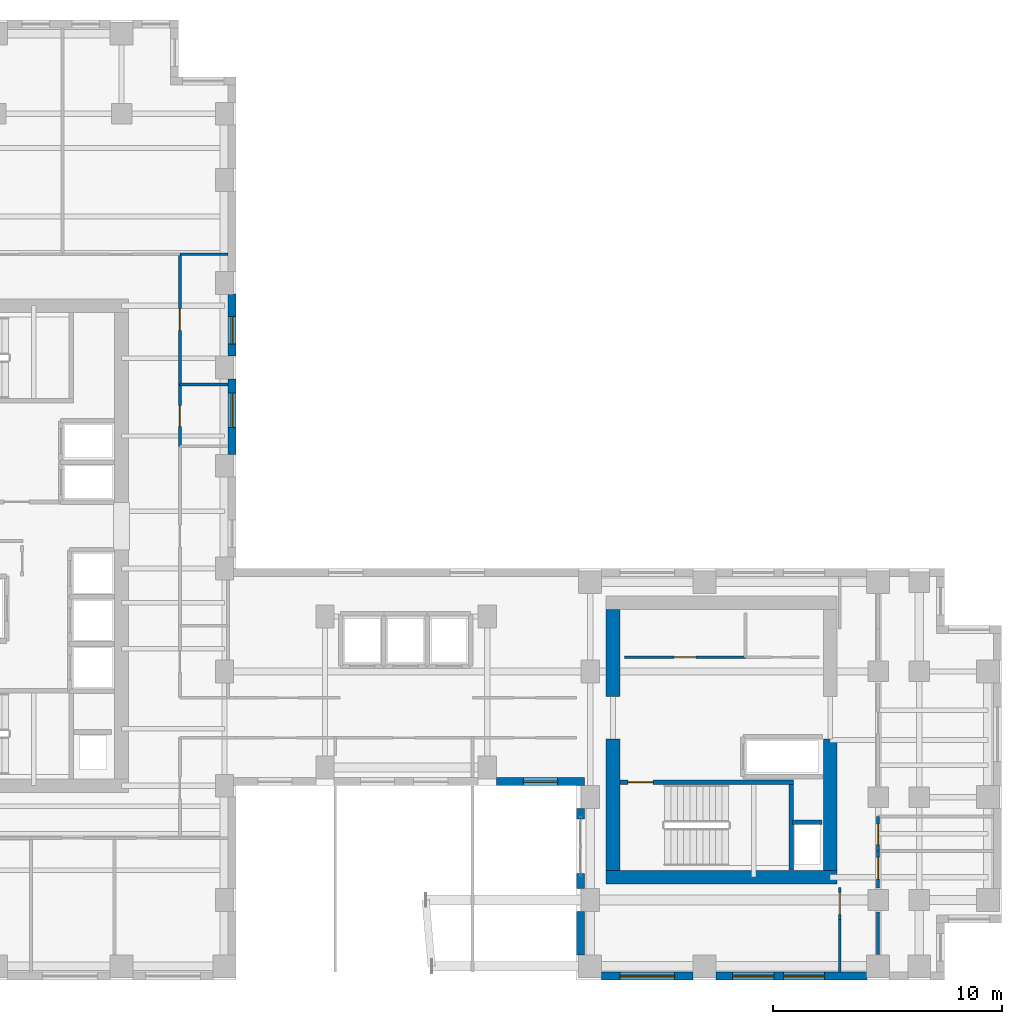
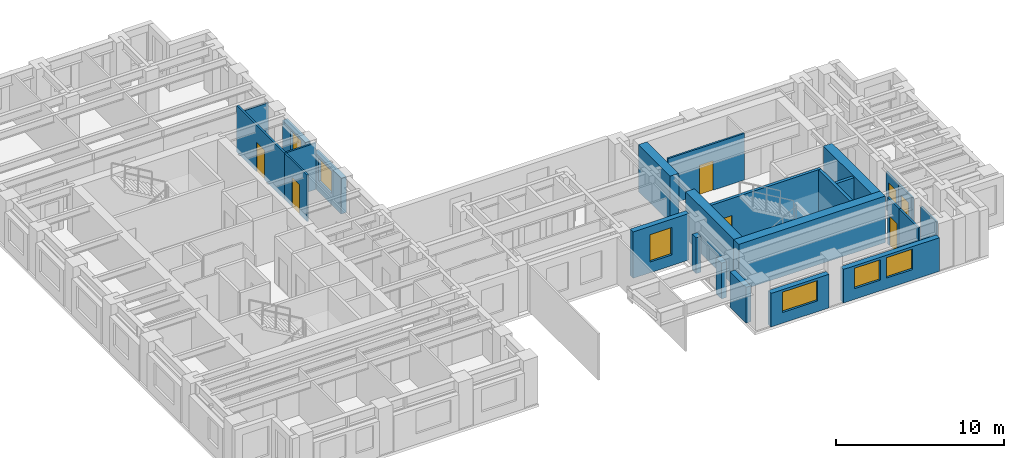
# One storey, part 9 of 13: 25 walls, 7 doors, 6 windows, 13 openings.
"""IFC4 building model written with IfcOpenShell, lengths in metres."""

import ifcopenshell
import ifcopenshell.guid

model = None  # the IFC model being written
_history = None  # IfcOwnerHistory: only IFC2X3 demands one
_inside = {}  # id of a spatial element -> (the spatial element, [elements in it])
_under = {}  # id of a project, library or spatial element -> (it, [spatial elements below it])
_declared = {}  # id of a project -> (the project, [libraries it declares])
_typed = {}  # id of a type object -> (the type object, [elements of that type])
_made_of = {}  # id of a material, layer set ... -> (it, [elements and type objects made of it])


def new_model(schema):
    """Start an empty IFC model of exactly this schema.

    Asked for "IFC4X3", IfcOpenShell would pick the latest addendum, in which some entities
    have other attributes; the version numbers below select the first issue.
    IFC2X3 requires an IfcOwnerHistory on every rooted entity: one is made here for all.
    """
    global model, _history
    if schema == "IFC4X3":
        model = ifcopenshell.file(schema_version=(4, 3, 0, 0))
    else:
        model = ifcopenshell.file(schema=schema)
    _inside.clear()
    _under.clear()
    _declared.clear()
    _typed.clear()
    _made_of.clear()
    _history = None
    if model.schema == "IFC2X3":
        org = make("IfcOrganization", Name="unknown")
        user = make(
            "IfcPersonAndOrganization",
            ThePerson=make("IfcPerson", FamilyName="unknown"),
            TheOrganization=org,
        )
        app = make(
            "IfcApplication",
            ApplicationDeveloper=org,
            Version="unknown",
            ApplicationFullName="unknown",
            ApplicationIdentifier="unknown",
        )
        _history = make(
            "IfcOwnerHistory",
            OwningUser=user,
            OwningApplication=app,
            ChangeAction="ADDED",
            CreationDate=0,
        )
    return model


def make(cls, **values):
    """One entity of the class cls with the attributes given. An attribute that is None is left unset."""
    return model.create_entity(
        cls, **{name: value for name, value in values.items() if value is not None}
    )


def rooted(cls, **values):
    """An entity with a GlobalId (a new one), such as an element, a storey or a relation."""
    return make(cls, GlobalId=ifcopenshell.guid.new(), OwnerHistory=_history, **values)


def si_unit(unit_type, name, prefix=None):
    """IfcSIUnit, for example si_unit("LENGTHUNIT", "METRE", prefix="MILLI")."""
    return make("IfcSIUnit", UnitType=unit_type, Prefix=prefix, Name=name)


def assignment(units):
    """IfcUnitAssignment: the units of a project."""
    return None if units is None else make("IfcUnitAssignment", Units=units)


def point(xyz):
    """IfcCartesianPoint."""
    return None if xyz is None else make("IfcCartesianPoint", Coordinates=xyz)


def direction(xyz):
    """IfcDirection."""
    return None if xyz is None else make("IfcDirection", DirectionRatios=xyz)


def frame(location, z_axis=None, x_axis=None):
    """IfcAxis2Placement3D, a coordinate frame: its origin and axes. An axis left out is left unset."""
    return make(
        "IfcAxis2Placement3D",
        Location=point(location),
        Axis=direction(z_axis),
        RefDirection=direction(x_axis),
    )


def frame_2d(location, x_axis=None):
    """IfcAxis2Placement2D, a coordinate frame in the plane: its origin and x axis."""
    return make(
        "IfcAxis2Placement2D", Location=point(location), RefDirection=direction(x_axis)
    )


def origin():
    """The frame at (0, 0, 0) with its axes left unset."""
    return frame((0.0, 0.0, 0.0))


def place(relative_to, where):
    """IfcLocalPlacement: puts the frame where relative to a parent placement (None: the world)."""
    return make(
        "IfcLocalPlacement", PlacementRelTo=relative_to, RelativePlacement=where
    )


def context(
    kind, dimensions, precision=None, world=None, true_north=None, identifier=None
):
    """IfcGeometricRepresentationContext, for example the 3D "Model" context."""
    return make(
        "IfcGeometricRepresentationContext",
        ContextIdentifier=identifier,
        ContextType=kind,
        CoordinateSpaceDimension=dimensions,
        Precision=precision,
        WorldCoordinateSystem=world,
        TrueNorth=true_north,
    )


def subcontext(parent, identifier, kind, view, scale=None):
    """IfcGeometricRepresentationSubContext, for example "Body" below "Model"."""
    return make(
        "IfcGeometricRepresentationSubContext",
        ContextIdentifier=identifier,
        ContextType=kind,
        ParentContext=parent,
        TargetScale=scale,
        TargetView=view,
    )


def project(units=None, contexts=None):
    """IfcProject with its units and contexts."""
    return rooted(
        "IfcProject",
        Name="project",
        RepresentationContexts=contexts,
        UnitsInContext=assignment(units),
    )


def spatial(cls, under=None, at=None, **own):
    """A site, building, storey or space (cls), placed at a placement, below another one or the project."""
    s = rooted(cls, ObjectPlacement=at, **own)
    if under is not None:
        _under.setdefault(under.id(), (under, []))[1].append(s)
    return s


def profile(cls, at=None, kind="AREA", **sizes):
    """A parametric profile (cls). Its sizes go by their IFC names, for example OverallWidth=200.0."""
    return make(cls, ProfileType=kind, Position=at, **sizes)


def rectangle(**sizes):
    """IfcRectangleProfileDef."""
    return profile("IfcRectangleProfileDef", **sizes)


def extrude(swept, where, along, depth):
    """IfcExtrudedAreaSolid: the profile swept, set in the frame where, extruded along a direction by depth."""
    return make(
        "IfcExtrudedAreaSolid",
        SweptArea=swept,
        Position=where,
        ExtrudedDirection=direction(along),
        Depth=depth,
    )


def shape(context_of_items, identifier, shape_type, items):
    """IfcShapeRepresentation: the items that make up one representation, for example the "Body"."""
    return make(
        "IfcShapeRepresentation",
        ContextOfItems=context_of_items,
        RepresentationIdentifier=identifier,
        RepresentationType=shape_type,
        Items=items,
    )


def source(mapping_origin, context_of_items, identifier, shape_type, items):
    """IfcRepresentationMap: a shape defined once, which mapped items show again and again."""
    return make(
        "IfcRepresentationMap",
        MappingOrigin=mapping_origin,
        MappedRepresentation=shape(context_of_items, identifier, shape_type, items),
    )


def transform(
    local_origin,
    x_axis=None,
    y_axis=None,
    z_axis=None,
    scale=None,
    scale2=None,
    scale3=None,
    uniform=True,
):
    """IfcCartesianTransformationOperator3D, or its non-uniform kind. x_axis, y_axis, z_axis: its Axis1, 2, 3."""
    if uniform:
        return make(
            "IfcCartesianTransformationOperator3D",
            Axis1=direction(x_axis),
            Axis2=direction(y_axis),
            LocalOrigin=point(local_origin),
            Scale=scale,
            Axis3=direction(z_axis),
        )
    return make(
        "IfcCartesianTransformationOperator3DnonUniform",
        Axis1=direction(x_axis),
        Axis2=direction(y_axis),
        LocalOrigin=point(local_origin),
        Scale=scale,
        Axis3=direction(z_axis),
        Scale2=scale2,
        Scale3=scale3,
    )


def mapped(mapping_source, mapping_target):
    """IfcMappedItem: shows the shape of a source again, moved by a transform."""
    return make(
        "IfcMappedItem", MappingSource=mapping_source, MappingTarget=mapping_target
    )


def material(Name=None, Category=None):
    """IfcMaterial."""
    return make("IfcMaterial", Name=Name, Category=Category)


def layer(
    of_material, thickness, ventilated=None, Name=None, Category=None, Priority=None
):
    """IfcMaterialLayer: one layer of a wall or slab, of a material (None: an air gap)."""
    return make(
        "IfcMaterialLayer",
        Material=of_material,
        LayerThickness=thickness,
        IsVentilated=ventilated,
        Name=Name,
        Category=Category,
        Priority=Priority,
    )


def layer_set(layers, Name=None):
    """IfcMaterialLayerSet."""
    return make("IfcMaterialLayerSet", MaterialLayers=layers, LayerSetName=Name)


def made_of(thing, what):
    """Note that an element or type object is made of a material, layer set ...; save() writes the relation."""
    if what is not None:
        _made_of.setdefault(what.id(), (what, []))[1].append(thing)
    return thing


def type_object(cls, material=None, **own):
    """A type object (cls), such as IfcWallType, which elements share."""
    return made_of(rooted(cls, **own), material)


def element(
    cls,
    number,
    at=None,
    inside=None,
    cuts=None,
    type_object=None,
    material=None,
    context=None,
    identifier="Body",
    shape_type=None,
    held_by="IfcProductDefinitionShape",
    body=None,
    shapes=None,
    **own,
):
    """One element of the class cls, such as IfcWall. Its Tag is "e" and its number.

    at: its placement. inside: the storey or other place that contains it. cuts: it is an
    opening in that element (IfcRelVoidsElement). A single representation is given by context,
    identifier, shape_type and body (its items); several are given by shapes. held_by: the class
    of the entity that holds the representations. save() writes the other relations.
    """
    e = rooted(cls, Tag="e%d" % number, ObjectPlacement=at, **own)
    if body is not None:
        shapes = [shape(context, identifier, shape_type, body)]
    if shapes is not None:
        e.Representation = make(held_by, Representations=shapes)
    if inside is not None:
        _inside.setdefault(inside.id(), (inside, []))[1].append(e)
    if cuts is not None:
        rooted(
            "IfcRelVoidsElement", RelatingBuildingElement=cuts, RelatedOpeningElement=e
        )
    if type_object is not None:
        _typed.setdefault(type_object.id(), (type_object, []))[1].append(e)
    return made_of(e, material)


def fill(opening, filler):
    """IfcRelFillsElement: the door or window that sits in an opening."""
    return rooted(
        "IfcRelFillsElement",
        RelatingOpeningElement=opening,
        RelatedBuildingElement=filler,
    )


def aggregate(whole, parts):
    """IfcRelAggregates: a whole, such as a stair, and the parts it consists of."""
    return rooted("IfcRelAggregates", RelatingObject=whole, RelatedObjects=parts)


def save(model, path):
    """Write the relations noted so far, then the file.

    IfcRelAggregates (storeys below a building ...), IfcRelContainedInSpatialStructure (elements
    in a storey), IfcRelDefinesByType, IfcRelAssociatesMaterial and IfcRelDeclares: one each for
    every whole, place, type object, material and project.
    """
    for whole, parts in _under.values():
        aggregate(whole, parts)
    for where, things in _inside.values():
        rooted(
            "IfcRelContainedInSpatialStructure",
            RelatedElements=things,
            RelatingStructure=where,
        )
    for kind, things in _typed.values():
        rooted("IfcRelDefinesByType", RelatedObjects=things, RelatingType=kind)
    for what, things in _made_of.values():
        rooted("IfcRelAssociatesMaterial", RelatedObjects=things, RelatingMaterial=what)
    for by, libraries in _declared.values():
        rooted("IfcRelDeclares", RelatingContext=by, RelatedDefinitions=libraries)
    model.write(path)


model = new_model("IFC4")

# Units and contexts
model_context = context("Model", 3, precision=1e-05, world=origin(), true_north=direction((0.0, 1.0)))
body_context = subcontext(model_context, "Body", "Model", "MODEL_VIEW")
ifc_project = project(units=[si_unit("LENGTHUNIT", "METRE"), si_unit("AREAUNIT", "SQUARE_METRE"), si_unit("VOLUMEUNIT", "CUBIC_METRE"), si_unit("PLANEANGLEUNIT", "RADIAN"), si_unit("MASSUNIT", "GRAM", prefix="KILO")], contexts=[model_context])

# Site, building, storey
site_placement = place(None, origin())
site = spatial("IfcSite", under=ifc_project, at=site_placement, CompositionType="ELEMENT")
building_placement = place(site_placement, origin())
building = spatial("IfcBuilding", under=site, at=building_placement, Name="Kharzan Plaza Tower", CompositionType="ELEMENT")
storey_placement = place(building_placement, frame((0.0, 0.0, 175.5)))
storey = spatial("IfcBuildingStorey", under=building, at=storey_placement, Name="L47", CompositionType="ELEMENT", Elevation=175.5)

# Wall, opening, window
ifc_material_1 = material(Name="Concrete C40/50", Category="concrete")
ifc_layer_1 = layer(ifc_material_1, 0.35009765625)
ifc_layer_set_1 = layer_set([ifc_layer_1], Name="Concrete C40/50")
wall_type_1 = type_object("IfcWallType", Name="WL-EXT-MAS-Z3", PredefinedType="SOLIDWALL", material=ifc_layer_set_1)
wall_1_placement = place(storey_placement, frame((30.89794921875, 8.675048828125, 0.0), z_axis=(0.0, 0.0, 1.0), x_axis=(1.0, 0.0, 0.0)))
wall_1 = element("IfcWall", 1, at=wall_1_placement, inside=storey, type_object=wall_type_1, Name="L47 Masonry-Frame Exterior Wall 28", PredefinedType="SOLIDWALL", context=body_context, shape_type="SweptSolid", body=[
    extrude(rectangle(XDim=3.85205078125, YDim=0.35009765625, at=frame_2d((1.926025390625, 0.0))), origin(), (0.0, 0.0, 1.0), 3.385009765625),
])
opening_1_placement = place(wall_1_placement, frame((1.176025390625, 0.0, 0.780029296875)))
opening_1 = element("IfcOpeningElement", 2, at=opening_1_placement, cuts=wall_1, Name="Opening W5", PredefinedType="OPENING", context=body_context, shape_type="SweptSolid", body=[
    extrude(rectangle(XDim=1.5, YDim=2.0, at=frame_2d((0.75, 1.0))), frame((0.0, 0.18505859375, 0.0), z_axis=(0.0, -1.0, 0.0), x_axis=(1.0, 0.0, 0.0)), (0.0, 0.0, 1.0), 0.3701171875),
])
ifc_material_2 = material(Name="Low-E Double Glazing", Category="glass")
window_type_1 = type_object("IfcWindowType", Name="WN-SLT-1500x2000", PartitioningType="SINGLE_PANEL", PredefinedType="WINDOW", material=ifc_material_2)
shared_shape_1 = source(origin(), body_context, "Body", "SweptSolid", [
    extrude(rectangle(XDim=1.5, YDim=2.0, at=frame_2d((0.75, 1.0))), frame((0.0, 0.030029296875, 0.0), z_axis=(0.0, -1.0, 0.0), x_axis=(1.0, 0.0, 0.0)), (0.0, 0.0, 1.0), 0.06005859375),
])
window_1_placement = place(opening_1_placement, origin())
window_1 = element("IfcWindow", 3, at=window_1_placement, inside=storey, type_object=window_type_1, Name="L47 Recessed Solar-Control Window 28-1", OverallHeight=2.0, OverallWidth=1.5, PartitioningType="SINGLE_PANEL", PredefinedType="WINDOW", context=body_context, shape_type="MappedRepresentation", body=[
    mapped(shared_shape_1, transform((0.0, 0.0, 0.0), x_axis=(1.0, 0.0, 0.0), y_axis=(0.0, 1.0, 0.0), z_axis=(0.0, 0.0, 1.0))),
])
fill(opening_1, window_1)

wall_2_placement = place(storey_placement, frame((35.498046875, 0.175048828125, 0.0), z_axis=(0.0, 0.0, 1.0), x_axis=(1.0, 0.0, 0.0)))
wall_2 = element("IfcWall", 4, at=wall_2_placement, inside=storey, type_object=wall_type_1, Name="L47 Masonry-Frame Exterior Wall 32", PredefinedType="SOLIDWALL", context=body_context, shape_type="SweptSolid", body=[
    extrude(rectangle(XDim=4.00390625, YDim=0.35009765625, at=frame_2d((2.001953125, 0.0))), origin(), (0.0, 0.0, 1.0), 2.447998046875),
])
opening_2_placement = place(wall_2_placement, frame((0.802001953125, 0.0, 0.780029296875)))
opening_2 = element("IfcOpeningElement", 5, at=opening_2_placement, cuts=wall_2, Name="Opening W2", PredefinedType="OPENING", context=body_context, shape_type="SweptSolid", body=[
    extrude(rectangle(XDim=2.39990234375, YDim=1.488037109375, at=frame_2d((1.199951171875, 0.744140625))), frame((0.0, 0.18505859375, 0.0), z_axis=(0.0, -1.0, 0.0), x_axis=(1.0, 0.0, 0.0)), (0.0, 0.0, 1.0), 0.3701171875),
])
window_type_2 = type_object("IfcWindowType", Name="WN-REC-2400x2100", PartitioningType="SINGLE_PANEL", PredefinedType="WINDOW", material=ifc_material_2)
shared_shape_2 = source(origin(), body_context, "Body", "SweptSolid", [
    extrude(rectangle(XDim=2.39990234375, YDim=1.488037109375, at=frame_2d((1.199951171875, 0.744140625))), frame((0.0, 0.030029296875, 0.0), z_axis=(0.0, -1.0, 0.0), x_axis=(1.0, 0.0, 0.0)), (0.0, 0.0, 1.0), 0.06005859375),
])
window_2_placement = place(opening_2_placement, origin())
window_2 = element("IfcWindow", 6, at=window_2_placement, inside=storey, type_object=window_type_2, Name="L47 Wide Recessed Solar-Control Window 32-1", OverallHeight=1.488037109375, OverallWidth=2.39990234375, PartitioningType="SINGLE_PANEL", PredefinedType="WINDOW", context=body_context, shape_type="MappedRepresentation", body=[
    mapped(shared_shape_2, transform((0.0, 0.0, 0.0), x_axis=(1.0, 0.0, 0.0), y_axis=(0.0, 1.0, 0.0), z_axis=(0.0, 0.0, 1.0))),
])
fill(opening_2, window_2)

# Wall, openings, windows
wall_3_placement = place(storey_placement, frame((40.498046875, 0.175048828125, 0.0), z_axis=(0.0, 0.0, 1.0), x_axis=(1.0, 0.0, 0.0)))
wall_3 = element("IfcWall", 7, at=wall_3_placement, inside=storey, type_object=wall_type_1, Name="L47 Masonry-Frame Exterior Wall 33", PredefinedType="SOLIDWALL", context=body_context, shape_type="SweptSolid", body=[
    extrude(rectangle(XDim=6.60400390625, YDim=0.35009765625, at=frame_2d((3.302001953125, 0.0))), origin(), (0.0, 0.0, 1.0), 2.447998046875),
])
opening_3_placement = place(wall_3_placement, frame((0.7373046875, 0.0, 0.780029296875)))
opening_3 = element("IfcOpeningElement", 8, at=opening_3_placement, cuts=wall_3, Name="Opening W1", PredefinedType="OPENING", context=body_context, shape_type="SweptSolid", body=[
    extrude(rectangle(XDim=1.800048828125, YDim=1.488037109375, at=frame_2d((0.89990234375, 0.744140625))), frame((0.0, 0.18505859375, 0.0), z_axis=(0.0, -1.0, 0.0), x_axis=(1.0, 0.0, 0.0)), (0.0, 0.0, 1.0), 0.3701171875),
])
opening_4_placement = place(wall_3_placement, frame((2.95458984375, 0.0, 0.780029296875)))
opening_4 = element("IfcOpeningElement", 9, at=opening_4_placement, cuts=wall_3, Name="Opening W1", PredefinedType="OPENING", context=body_context, shape_type="SweptSolid", body=[
    extrude(rectangle(XDim=1.800048828125, YDim=1.488037109375, at=frame_2d((0.89990234375, 0.744140625))), frame((0.0, 0.18505859375, 0.0), z_axis=(0.0, -1.0, 0.0), x_axis=(1.0, 0.0, 0.0)), (0.0, 0.0, 1.0), 0.3701171875),
])
window_type_3 = type_object("IfcWindowType", Name="WN-REC-1800x2100", PartitioningType="SINGLE_PANEL", PredefinedType="WINDOW", material=ifc_material_2)
shared_shape_3 = source(origin(), body_context, "Body", "SweptSolid", [
    extrude(rectangle(XDim=1.800048828125, YDim=1.488037109375, at=frame_2d((0.89990234375, 0.744140625))), frame((0.0, 0.030029296875, 0.0), z_axis=(0.0, -1.0, 0.0), x_axis=(1.0, 0.0, 0.0)), (0.0, 0.0, 1.0), 0.06005859375),
])
window_3_placement = place(opening_3_placement, origin())
window_3 = element("IfcWindow", 10, at=window_3_placement, inside=storey, type_object=window_type_3, Name="L47 Recessed Solar-Control Window 33-1", OverallHeight=1.488037109375, OverallWidth=1.800048828125, PartitioningType="SINGLE_PANEL", PredefinedType="WINDOW", context=body_context, shape_type="MappedRepresentation", body=[
    mapped(shared_shape_3, transform((0.0, 0.0, 0.0), x_axis=(1.0, 0.0, 0.0), y_axis=(0.0, 1.0, 0.0), z_axis=(0.0, 0.0, 1.0))),
])
fill(opening_3, window_3)
window_4_placement = place(opening_4_placement, origin())
window_4 = element("IfcWindow", 11, at=window_4_placement, inside=storey, type_object=window_type_3, Name="L47 Recessed Solar-Control Window 33-2", OverallHeight=1.488037109375, OverallWidth=1.800048828125, PartitioningType="SINGLE_PANEL", PredefinedType="WINDOW", context=body_context, shape_type="MappedRepresentation", body=[
    mapped(shared_shape_3, transform((0.0, 0.0, 0.0), x_axis=(1.0, 0.0, 0.0), y_axis=(0.0, 1.0, 0.0), z_axis=(0.0, 0.0, 1.0))),
])
fill(opening_4, window_4)

# Wall, opening, window
wall_4_placement = place(storey_placement, frame((19.324951171875, 22.998046875, 0.0), z_axis=(0.0, 0.0, 1.0), x_axis=(0.0, 1.0, 0.0)))
wall_4 = element("IfcWall", 12, at=wall_4_placement, inside=storey, type_object=wall_type_1, Name="L47 Masonry-Frame Exterior Wall 49", PredefinedType="SOLIDWALL", context=body_context, shape_type="SweptSolid", body=[
    extrude(rectangle(XDim=3.303955078125, YDim=0.35009765625, at=frame_2d((1.65185546875, 0.0))), origin(), (0.0, 0.0, 1.0), 2.612060546875),
])
opening_5_placement = place(wall_4_placement, frame((1.180419921875, 0.0, 0.780029296875)))
opening_5 = element("IfcOpeningElement", 13, at=opening_5_placement, cuts=wall_4, Name="Opening W5", PredefinedType="OPENING", context=body_context, shape_type="SweptSolid", body=[
    extrude(rectangle(XDim=1.5, YDim=1.652099609375, at=frame_2d((0.75, 0.826171875))), frame((0.0, 0.18505859375, 0.0), z_axis=(0.0, -1.0, 0.0), x_axis=(1.0, 0.0, 0.0)), (0.0, 0.0, 1.0), 0.3701171875),
])
shared_shape_4 = source(origin(), body_context, "Body", "SweptSolid", [
    extrude(rectangle(XDim=1.5, YDim=1.652099609375, at=frame_2d((0.75, 0.826171875))), frame((0.0, 0.030029296875, 0.0), z_axis=(0.0, -1.0, 0.0), x_axis=(1.0, 0.0, 0.0)), (0.0, 0.0, 1.0), 0.06005859375),
])
window_5_placement = place(opening_5_placement, origin())
window_5 = element("IfcWindow", 14, at=window_5_placement, inside=storey, type_object=window_type_1, Name="L47 Recessed Solar-Control Window 49-1", OverallHeight=1.652099609375, OverallWidth=1.5, PartitioningType="SINGLE_PANEL", PredefinedType="WINDOW", context=body_context, shape_type="MappedRepresentation", body=[
    mapped(shared_shape_4, transform((0.0, 0.0, 0.0), x_axis=(1.0, 0.0, 0.0), y_axis=(0.0, 1.0, 0.0), z_axis=(0.0, 0.0, 1.0))),
])
fill(opening_5, window_5)

wall_5_placement = place(storey_placement, frame((19.324951171875, 27.298095703125, 0.0), z_axis=(0.0, 0.0, 1.0), x_axis=(0.0, 1.0, 0.0)))
wall_5 = element("IfcWall", 15, at=wall_5_placement, inside=storey, type_object=wall_type_1, Name="L47 Masonry-Frame Exterior Wall 50", PredefinedType="SOLIDWALL", context=body_context, shape_type="SweptSolid", body=[
    extrude(rectangle(XDim=2.703857421875, YDim=0.35009765625, at=frame_2d((1.35205078125, 0.0))), origin(), (0.0, 0.0, 1.0), 2.612060546875),
])
opening_6_placement = place(wall_5_placement, frame((0.523681640625, 0.0, 0.780029296875)))
opening_6 = element("IfcOpeningElement", 16, at=opening_6_placement, cuts=wall_5, Name="Opening W3", PredefinedType="OPENING", context=body_context, shape_type="SweptSolid", body=[
    extrude(rectangle(XDim=1.199951171875, YDim=1.652099609375, at=frame_2d((0.60009765625, 0.826171875))), frame((0.0, 0.18505859375, 0.0), z_axis=(0.0, -1.0, 0.0), x_axis=(1.0, 0.0, 0.0)), (0.0, 0.0, 1.0), 0.3701171875),
])
window_type_4 = type_object("IfcWindowType", Name="WN-REC-1200x2100", PartitioningType="SINGLE_PANEL", PredefinedType="WINDOW", material=ifc_material_2)
shared_shape_5 = source(origin(), body_context, "Body", "SweptSolid", [
    extrude(rectangle(XDim=1.199951171875, YDim=1.652099609375, at=frame_2d((0.60009765625, 0.826171875))), frame((0.0, 0.030029296875, 0.0), z_axis=(0.0, -1.0, 0.0), x_axis=(1.0, 0.0, 0.0)), (0.0, 0.0, 1.0), 0.06005859375),
])
window_6_placement = place(opening_6_placement, origin())
window_6 = element("IfcWindow", 17, at=window_6_placement, inside=storey, type_object=window_type_4, Name="L47 Recessed Solar-Control Window 50-1", OverallHeight=1.652099609375, OverallWidth=1.199951171875, PartitioningType="SINGLE_PANEL", PredefinedType="WINDOW", context=body_context, shape_type="MappedRepresentation", body=[
    mapped(shared_shape_5, transform((0.0, 0.0, 0.0), x_axis=(1.0, 0.0, 0.0), y_axis=(0.0, 1.0, 0.0), z_axis=(0.0, 0.0, 1.0))),
])
fill(opening_6, window_6)

# Wall, opening, door
ifc_material_3 = material(Name="Fire-Rated Gypsum Board Partition", Category="gypsum")
ifc_layer_2 = layer(ifc_material_3, 0.125)
ifc_layer_set_2 = layer_set([ifc_layer_2], Name="Fire-Rated Gypsum Board Partition")
wall_type_2 = type_object("IfcWallType", Name="WL-INT-PART-125", PredefinedType="PARTITIONING", material=ifc_layer_set_2)
wall_6_placement = place(storey_placement, frame((36.5, 14.1201171875, 0.0), z_axis=(0.0, 0.0, 1.0), x_axis=(1.0, 0.0, 0.0)))
wall_6 = element("IfcWall", 18, at=wall_6_placement, inside=storey, type_object=wall_type_2, Name="L47 Interior Partition CB-RBLSA", PredefinedType="PARTITIONING", context=body_context, shape_type="SweptSolid", body=[
    extrude(rectangle(XDim=5.300048828125, YDim=0.125, at=frame_2d((2.64990234375, 0.0))), origin(), (0.0, 0.0, 1.0), 3.385009765625),
])
opening_7_placement = place(wall_6_placement, frame((2.175048828125, 0.0, 0.0)))
opening_7 = element("IfcOpeningElement", 19, at=opening_7_placement, cuts=wall_6, Name="Opening OD1", PredefinedType="OPENING", context=body_context, shape_type="SweptSolid", body=[
    extrude(rectangle(XDim=0.949951171875, YDim=2.14990234375, at=frame_2d((0.47509765625, 1.074951171875))), frame((0.0, 0.072509765625, 0.0), z_axis=(0.0, -1.0, 0.0), x_axis=(1.0, 0.0, 0.0)), (0.0, 0.0, 1.0), 0.14501953125),
])
ifc_material_4 = material(Name="Acoustic Solid-Core Stained Oak", Category="timber")
door_type_1 = type_object("IfcDoorType", Name="DR-OFF-SINGLE", OperationType="NOTDEFINED", PredefinedType="DOOR", material=ifc_material_4)
shared_shape_6 = source(origin(), body_context, "Body", "SweptSolid", [
    extrude(rectangle(XDim=0.949951171875, YDim=2.14990234375, at=frame_2d((0.47509765625, 1.074951171875))), frame((0.0, 0.02490234375, 0.0), z_axis=(0.0, -1.0, 0.0), x_axis=(1.0, 0.0, 0.0)), (0.0, 0.0, 1.0), 0.050048828125),
])
door_1_placement = place(opening_7_placement, origin())
door_1 = element("IfcDoor", 20, at=door_1_placement, inside=storey, type_object=door_type_1, Name="L47 Records Room Door", OperationType="SINGLE_SWING_RIGHT", OverallHeight=2.14990234375, OverallWidth=0.949951171875, PredefinedType="DOOR", context=body_context, shape_type="MappedRepresentation", body=[
    mapped(shared_shape_6, transform((0.0, 0.0, 0.0), x_axis=(1.0, 0.0, 0.0), y_axis=(0.0, 1.0, 0.0), z_axis=(0.0, 0.0, 1.0))),
])
fill(opening_7, door_1)

wall_7_placement = place(storey_placement, frame((17.050048828125, 26.050048828125, 0.0), z_axis=(0.0, 0.0, 1.0), x_axis=(0.0, 1.0, 0.0)))
wall_7 = element("IfcWall", 21, at=wall_7_placement, inside=storey, type_object=wall_type_2, Name="L47 Interior Partition SH-AEWN3", PredefinedType="PARTITIONING", context=body_context, shape_type="SweptSolid", body=[
    extrude(rectangle(XDim=5.699951171875, YDim=0.125, at=frame_2d((2.85009765625, 0.0))), origin(), (0.0, 0.0, 1.0), 3.385009765625),
])
opening_8_placement = place(wall_7_placement, frame((2.375, 0.0, 0.0)))
opening_8 = element("IfcOpeningElement", 22, at=opening_8_placement, cuts=wall_7, Name="Opening OD1", PredefinedType="OPENING", context=body_context, shape_type="SweptSolid", body=[
    extrude(rectangle(XDim=0.949951171875, YDim=2.14990234375, at=frame_2d((0.47509765625, 1.074951171875))), frame((0.0, 0.072509765625, 0.0), z_axis=(0.0, -1.0, 0.0), x_axis=(1.0, 0.0, 0.0)), (0.0, 0.0, 1.0), 0.14501953125),
])
door_2_placement = place(opening_8_placement, origin())
door_2 = element("IfcDoor", 23, at=door_2_placement, inside=storey, type_object=door_type_1, Name="L47 Staff Tea Point Door", OperationType="SINGLE_SWING_RIGHT", OverallHeight=2.14990234375, OverallWidth=0.949951171875, PredefinedType="DOOR", context=body_context, shape_type="MappedRepresentation", body=[
    mapped(shared_shape_6, transform((0.0, 0.0, 0.0), x_axis=(1.0, 0.0, 0.0), y_axis=(0.0, 1.0, 0.0), z_axis=(0.0, 0.0, 1.0))),
])
fill(opening_8, door_2)

wall_8_placement = place(storey_placement, frame((17.050048828125, 23.35009765625, 0.0), z_axis=(0.0, 0.0, 1.0), x_axis=(0.0, 1.0, 0.0)))
wall_8 = element("IfcWall", 24, at=wall_8_placement, inside=storey, type_object=wall_type_2, Name="L47 Interior Partition SH-AEWW", PredefinedType="PARTITIONING", context=body_context, shape_type="SweptSolid", body=[
    extrude(rectangle(XDim=2.699951171875, YDim=0.125, at=frame_2d((1.35009765625, 0.0))), origin(), (0.0, 0.0, 1.0), 3.385009765625),
])
opening_9_placement = place(wall_8_placement, frame((0.875, 0.0, 0.0)))
opening_9 = element("IfcOpeningElement", 25, at=opening_9_placement, cuts=wall_8, Name="Opening WD1", PredefinedType="OPENING", context=body_context, shape_type="SweptSolid", body=[
    extrude(rectangle(XDim=0.89990234375, YDim=2.14990234375, at=frame_2d((0.449951171875, 1.074951171875))), frame((0.0, 0.072509765625, 0.0), z_axis=(0.0, -1.0, 0.0), x_axis=(1.0, 0.0, 0.0)), (0.0, 0.0, 1.0), 0.14501953125),
])
ifc_material_5 = material(Name="Moisture-Resistant Fire-Rated Laminate", Category="timber")
door_type_2 = type_object("IfcDoorType", Name="DR-WC-900", OperationType="NOTDEFINED", PredefinedType="DOOR", material=ifc_material_5)
shared_shape_7 = source(origin(), body_context, "Body", "SweptSolid", [
    extrude(rectangle(XDim=0.89990234375, YDim=2.14990234375, at=frame_2d((0.449951171875, 1.074951171875))), frame((0.0, 0.02490234375, 0.0), z_axis=(0.0, -1.0, 0.0), x_axis=(1.0, 0.0, 0.0)), (0.0, 0.0, 1.0), 0.050048828125),
])
door_3_placement = place(opening_9_placement, origin())
door_3 = element("IfcDoor", 26, at=door_3_placement, inside=storey, type_object=door_type_2, Name="L47 Wing A Washroom Door", OperationType="SINGLE_SWING_LEFT", OverallHeight=2.14990234375, OverallWidth=0.89990234375, PredefinedType="DOOR", context=body_context, shape_type="MappedRepresentation", body=[
    mapped(shared_shape_7, transform((0.0, 0.0, 0.0), x_axis=(1.0, 0.0, 0.0), y_axis=(0.0, 1.0, 0.0), z_axis=(0.0, 0.0, 1.0))),
])
fill(opening_9, door_3)

wall_9_placement = place(storey_placement, frame((47.60009765625, 4.02001953125, 0.0), z_axis=(0.0, 0.0, 1.0), x_axis=(0.0, 1.0, 0.0)))
wall_9 = element("IfcWall", 27, at=wall_9_placement, inside=storey, type_object=wall_type_2, Name="L47 Interior Partition SH-B0W0", PredefinedType="PARTITIONING", context=body_context, shape_type="SweptSolid", body=[
    extrude(rectangle(XDim=1.6298828125, YDim=0.125, at=frame_2d((0.81494140625, 0.0))), origin(), (0.0, 0.0, 1.0), 2.77294921875),
])
opening_10_placement = place(wall_9_placement, frame((0.393310546875, 0.0, 0.0)))
opening_10 = element("IfcOpeningElement", 28, at=opening_10_placement, cuts=wall_9, Name="Opening OD1", PredefinedType="OPENING", context=body_context, shape_type="SweptSolid", body=[
    extrude(rectangle(XDim=0.949951171875, YDim=2.14990234375, at=frame_2d((0.47509765625, 1.074951171875))), frame((0.0, 0.072509765625, 0.0), z_axis=(0.0, -1.0, 0.0), x_axis=(1.0, 0.0, 0.0)), (0.0, 0.0, 1.0), 0.14501953125),
])
door_4_placement = place(opening_10_placement, origin())
door_4 = element("IfcDoor", 29, at=door_4_placement, inside=storey, type_object=door_type_1, Name="L47 Wing B South Office Door", OperationType="SINGLE_SWING_RIGHT", OverallHeight=2.14990234375, OverallWidth=0.949951171875, PredefinedType="DOOR", context=body_context, shape_type="MappedRepresentation", body=[
    mapped(shared_shape_6, transform((0.0, 0.0, 0.0), x_axis=(1.0, 0.0, 0.0), y_axis=(0.0, 1.0, 0.0), z_axis=(0.0, 0.0, 1.0))),
])
fill(opening_10, door_4)

wall_10_placement = place(storey_placement, frame((47.60009765625, 5.64990234375, 0.0), z_axis=(0.0, 0.0, 1.0), x_axis=(0.0, 1.0, 0.0)))
wall_10 = element("IfcWall", 30, at=wall_10_placement, inside=storey, type_object=wall_type_2, Name="L47 Interior Partition SH-B0WC", PredefinedType="PARTITIONING", context=body_context, shape_type="SweptSolid", body=[
    extrude(rectangle(XDim=1.5, YDim=0.125, at=frame_2d((0.75, 0.0))), origin(), (0.0, 0.0, 1.0), 2.77294921875),
])
opening_11_placement = place(wall_10_placement, frame((0.27490234375, 0.0, 0.0)))
opening_11 = element("IfcOpeningElement", 31, at=opening_11_placement, cuts=wall_10, Name="Opening WD1", PredefinedType="OPENING", context=body_context, shape_type="SweptSolid", body=[
    extrude(rectangle(XDim=0.89990234375, YDim=2.14990234375, at=frame_2d((0.449951171875, 1.074951171875))), frame((0.0, 0.072509765625, 0.0), z_axis=(0.0, -1.0, 0.0), x_axis=(1.0, 0.0, 0.0)), (0.0, 0.0, 1.0), 0.14501953125),
])
door_5_placement = place(opening_11_placement, origin())
door_5 = element("IfcDoor", 32, at=door_5_placement, inside=storey, type_object=door_type_2, Name="L47 Wing B Washroom Door", OperationType="SINGLE_SWING_LEFT", OverallHeight=2.14990234375, OverallWidth=0.89990234375, PredefinedType="DOOR", context=body_context, shape_type="MappedRepresentation", body=[
    mapped(shared_shape_7, transform((0.0, 0.0, 0.0), x_axis=(1.0, 0.0, 0.0), y_axis=(0.0, 1.0, 0.0), z_axis=(0.0, 0.0, 1.0))),
])
fill(opening_11, door_5)

wall_11_placement = place(storey_placement, frame((45.919921875, 2.64990234375, 0.0), z_axis=(0.0, 0.0, 1.0), x_axis=(0.0, 1.0, 0.0)))
wall_11 = element("IfcWall", 33, at=wall_11_placement, inside=storey, type_object=wall_type_2, Name="L47 Interior Partition SH-RBSE", PredefinedType="PARTITIONING", context=body_context, shape_type="SweptSolid", body=[
    extrude(rectangle(XDim=1.400146484375, YDim=0.125, at=frame_2d((0.7001953125, 0.0))), origin(), (0.0, 0.0, 1.0), 3.385009765625),
])
opening_12_placement = place(wall_11_placement, frame((0.22509765625, 0.0, 0.0)))
opening_12 = element("IfcOpeningElement", 34, at=opening_12_placement, cuts=wall_11, Name="Opening OD1", PredefinedType="OPENING", context=body_context, shape_type="SweptSolid", body=[
    extrude(rectangle(XDim=0.949951171875, YDim=2.14990234375, at=frame_2d((0.47509765625, 1.074951171875))), frame((0.0, 0.072509765625, 0.0), z_axis=(0.0, -1.0, 0.0), x_axis=(1.0, 0.0, 0.0)), (0.0, 0.0, 1.0), 0.14501953125),
])
door_6_placement = place(opening_12_placement, origin())
door_6 = element("IfcDoor", 35, at=door_6_placement, inside=storey, type_object=door_type_1, Name="L47 South-East Corner Office Door", OperationType="SINGLE_SWING_RIGHT", OverallHeight=2.14990234375, OverallWidth=0.949951171875, PredefinedType="DOOR", context=body_context, shape_type="MappedRepresentation", body=[
    mapped(shared_shape_6, transform((0.0, 0.0, 0.0), x_axis=(1.0, 0.0, 0.0), y_axis=(0.0, 1.0, 0.0), z_axis=(0.0, 0.0, 1.0))),
])
fill(opening_12, door_6)

ifc_material_6 = material(Name="Concrete C50/60", Category="concrete")
ifc_layer_3 = layer(ifc_material_6, 0.199951171875)
ifc_layer_set_3 = layer_set([ifc_layer_3], Name="Concrete C50/60")
wall_type_3 = type_object("IfcWallType", Name="WL-SHAFT-RC200", PredefinedType="SHEAR", material=ifc_layer_set_3)
wall_12_placement = place(storey_placement, frame((36.302001953125, 8.655029296875, 0.0), z_axis=(0.0, 0.0, 1.0), x_axis=(1.0, 0.0, 0.0)))
wall_12 = element("IfcWall", 36, at=wall_12_placement, inside=storey, type_object=wall_type_3, Name="L47 Stair ST-3 North RC Shaft Wall", PredefinedType="SHEAR", context=body_context, shape_type="SweptSolid", body=[
    extrude(rectangle(XDim=7.60302734375, YDim=0.199951171875, at=frame_2d((3.801513671875, 0.0))), origin(), (0.0, 0.0, 1.0), 3.39990234375),
])
opening_13_placement = place(wall_12_placement, frame((0.35009765625, 0.0, 0.0)))
opening_13 = element("IfcOpeningElement", 37, at=opening_13_placement, cuts=wall_12, Name="Opening SD1", PredefinedType="OPENING", context=body_context, shape_type="SweptSolid", body=[
    extrude(rectangle(XDim=1.10009765625, YDim=2.14990234375, at=frame_2d((0.550048828125, 1.074951171875))), frame((0.0, 0.10986328125, 0.0), z_axis=(0.0, -1.0, 0.0), x_axis=(1.0, 0.0, 0.0)), (0.0, 0.0, 1.0), 0.219970703125),
])
ifc_material_7 = material(Name="Fire-Rated Hollow Galvanized Steel", Category="steel")
door_type_3 = type_object("IfcDoorType", Name="DR-STAIR-FD120", OperationType="NOTDEFINED", PredefinedType="DOOR", material=ifc_material_7)
shared_shape_8 = source(origin(), body_context, "Body", "SweptSolid", [
    extrude(rectangle(XDim=1.10009765625, YDim=2.14990234375, at=frame_2d((0.550048828125, 1.074951171875))), frame((0.0, 0.02490234375, 0.0), z_axis=(0.0, -1.0, 0.0), x_axis=(1.0, 0.0, 0.0)), (0.0, 0.0, 1.0), 0.050048828125),
])
door_7_placement = place(opening_13_placement, origin())
door_7 = element("IfcDoor", 38, at=door_7_placement, inside=storey, type_object=door_type_3, Name="L47 Stair ST-3 Fire Exit Door", OperationType="SINGLE_SWING_LEFT", OverallHeight=2.14990234375, OverallWidth=1.10009765625, PredefinedType="DOOR", context=body_context, shape_type="MappedRepresentation", body=[
    mapped(shared_shape_8, transform((0.0, 0.0, 0.0), x_axis=(1.0, 0.0, 0.0), y_axis=(0.0, 1.0, 0.0), z_axis=(0.0, 0.0, 1.0))),
])
fill(opening_13, door_7)

# Walls
ifc_layer_4 = layer(ifc_material_6, 0.60009765625)
ifc_layer_set_4 = layer_set([ifc_layer_4], Name="Concrete C50/60")
wall_type_4 = type_object("IfcWallType", Name="WL-CORE-600", PredefinedType="SHEAR", material=ifc_layer_set_4)
shared_shape_9 = source(origin(), body_context, "Body", "SweptSolid", [
    extrude(rectangle(XDim=5.75, YDim=0.60009765625, at=frame_2d((2.875, 0.0))), origin(), (0.0, 0.0, 1.0), 3.39990234375),
])
for number, where, z_axis, x_axis, name in (
    (39, (45.5, 4.800048828125, 0.0), (0.0, 0.0, 1.0), (0.0, 1.0, 0.0), "L47 CORE-B east shear pier 1"),
    (40, (36.0, 4.800048828125, 0.0), (0.0, 0.0, 1.0), (0.0, 1.0, 0.0), "L47 CORE-B west shear pier 1"),
):
    element("IfcWall", number, at=place(storey_placement, frame(where, z_axis=z_axis, x_axis=x_axis)), inside=storey, type_object=wall_type_4, Name=name, PredefinedType="SHEAR", context=body_context, shape_type="MappedRepresentation", body=[
        mapped(shared_shape_9, transform((0.0, 0.0, 0.0), x_axis=(1.0, 0.0, 0.0), y_axis=(0.0, 1.0, 0.0), z_axis=(0.0, 0.0, 1.0))),
    ])
shared_shape_10 = source(origin(), body_context, "Body", "SweptSolid", [
    extrude(rectangle(XDim=3.800048828125, YDim=0.60009765625, at=frame_2d((1.89990234375, 0.0))), origin(), (0.0, 0.0, 1.0), 3.39990234375),
])
wall_13_placement = place(storey_placement, frame((36.0, 12.39990234375, 0.0), z_axis=(0.0, 0.0, 1.0), x_axis=(0.0, 1.0, 0.0)))
element("IfcWall", 41, at=wall_13_placement, inside=storey, type_object=wall_type_4, Name="L47 CORE-B west shear pier 2", PredefinedType="SHEAR", context=body_context, shape_type="MappedRepresentation", body=[
    mapped(shared_shape_10, transform((0.0, 0.0, 0.0), x_axis=(1.0, 0.0, 0.0), y_axis=(0.0, 1.0, 0.0), z_axis=(0.0, 0.0, 1.0))),
])
shared_shape_11 = source(origin(), body_context, "Body", "SweptSolid", [
    extrude(rectangle(XDim=10.10009765625, YDim=0.60009765625, at=frame_2d((5.050048828125, 0.0))), origin(), (0.0, 0.0, 1.0), 3.39990234375),
])
wall_14_placement = place(storey_placement, frame((35.699951171875, 4.5, 0.0), z_axis=(0.0, 0.0, 1.0), x_axis=(1.0, 0.0, 0.0)))
element("IfcWall", 42, at=wall_14_placement, inside=storey, type_object=wall_type_4, Name="L47 CORE-B south RC shear wall", PredefinedType="SHEAR", context=body_context, shape_type="MappedRepresentation", body=[
    mapped(shared_shape_11, transform((0.0, 0.0, 0.0), x_axis=(1.0, 0.0, 0.0), y_axis=(0.0, 1.0, 0.0), z_axis=(0.0, 0.0, 1.0))),
])
shared_shape_12 = source(origin(), body_context, "Body", "SweptSolid", [
    extrude(rectangle(XDim=2.097900390625, YDim=0.125, at=frame_2d((1.048828125, 0.0))), origin(), (0.0, 0.0, 1.0), 3.385009765625),
])
wall_15_placement = place(storey_placement, frame((17.050048828125, 26.050048828125, 0.0), z_axis=(0.0, 0.0, 1.0), x_axis=(1.0, 0.0, 0.0)))
element("IfcWall", 43, at=wall_15_placement, inside=storey, type_object=wall_type_2, Name="L47 Interior Partition SH-AEH-260", PredefinedType="PARTITIONING", context=body_context, shape_type="MappedRepresentation", body=[
    mapped(shared_shape_12, transform((0.0, 0.0, 0.0), x_axis=(1.0, 0.0, 0.0), y_axis=(0.0, 1.0, 0.0), z_axis=(0.0, 0.0, 1.0))),
])
shared_shape_13 = source(origin(), body_context, "Body", "SweptSolid", [
    extrude(rectangle(XDim=2.2978515625, YDim=0.125, at=frame_2d((1.14892578125, 0.0))), origin(), (0.0, 0.0, 1.0), 3.385009765625),
])
wall_16_placement = place(storey_placement, frame((45.919921875, 0.35205078125, 0.0), z_axis=(0.0, 0.0, 1.0), x_axis=(0.0, 1.0, 0.0)))
element("IfcWall", 44, at=wall_16_placement, inside=storey, type_object=wall_type_2, Name="L47 Interior Partition SH-RBSE0", PredefinedType="PARTITIONING", context=body_context, shape_type="MappedRepresentation", body=[
    mapped(shared_shape_13, transform((0.0, 0.0, 0.0), x_axis=(1.0, 0.0, 0.0), y_axis=(0.0, 1.0, 0.0), z_axis=(0.0, 0.0, 1.0))),
])
shared_shape_14 = source(origin(), body_context, "Body", "SweptSolid", [
    extrude(rectangle(XDim=2.097900390625, YDim=0.125, at=frame_2d((1.048828125, 0.0))), origin(), (0.0, 0.0, 1.0), 2.847900390625),
])
wall_17_placement = place(storey_placement, frame((17.050048828125, 31.75, 0.0), z_axis=(0.0, 0.0, 1.0), x_axis=(1.0, 0.0, 0.0)))
element("IfcWall", 45, at=wall_17_placement, inside=storey, type_object=wall_type_2, Name="L47 Interior Partition SH-NNE0", PredefinedType="PARTITIONING", context=body_context, shape_type="MappedRepresentation", body=[
    mapped(shared_shape_14, transform((0.0, 0.0, 0.0), x_axis=(1.0, 0.0, 0.0), y_axis=(0.0, 1.0, 0.0), z_axis=(0.0, 0.0, 1.0))),
])
ifc_layer_5 = layer(ifc_material_1, 0.199951171875)
ifc_layer_set_5 = layer_set([ifc_layer_5], Name="Concrete C40/50")
wall_type_5 = type_object("IfcWallType", Name="WL-INT-SHAFT-200", PredefinedType="PARTITIONING", material=ifc_layer_set_5)
shared_shape_15 = source(origin(), body_context, "Body", "SweptSolid", [
    extrude(rectangle(XDim=1.2998046875, YDim=0.199951171875, at=frame_2d((0.64990234375, 0.0))), origin(), (0.0, 0.0, 1.0), 3.385009765625),
])
wall_18_placement = place(storey_placement, frame((43.85009765625, 6.89990234375, 0.0), z_axis=(0.0, 0.0, 1.0), x_axis=(1.0, 0.0, 0.0)))
element("IfcWall", 46, at=wall_18_placement, inside=storey, type_object=wall_type_5, Name="L47 Interior Partition CB-RSRB-N", PredefinedType="PARTITIONING", context=body_context, shape_type="MappedRepresentation", body=[
    mapped(shared_shape_15, transform((0.0, 0.0, 0.0), x_axis=(1.0, 0.0, 0.0), y_axis=(0.0, 1.0, 0.0), z_axis=(0.0, 0.0, 1.0))),
])
shared_shape_16 = source(origin(), body_context, "Body", "SweptSolid", [
    extrude(rectangle(XDim=3.7529296875, YDim=0.199951171875, at=frame_2d((1.87646484375, 0.0))), origin(), (0.0, 0.0, 1.0), 3.39990234375),
])
wall_19_placement = place(storey_placement, frame((43.804931640625, 4.802001953125, 0.0), z_axis=(0.0, 0.0, 1.0), x_axis=(0.0, 1.0, 0.0)))
element("IfcWall", 47, at=wall_19_placement, inside=storey, type_object=wall_type_3, Name="L47 Stair ST-3 East RC Shaft Wall", PredefinedType="SHEAR", context=body_context, shape_type="MappedRepresentation", body=[
    mapped(shared_shape_16, transform((0.0, 0.0, 0.0), x_axis=(1.0, 0.0, 0.0), y_axis=(0.0, 1.0, 0.0), z_axis=(0.0, 0.0, 1.0))),
])
shared_shape_17 = source(origin(), body_context, "Body", "SweptSolid", [
    extrude(rectangle(XDim=1.904052734375, YDim=0.35009765625, at=frame_2d((0.9521484375, 0.0))), origin(), (0.0, 0.0, 1.0), 2.612060546875),
])
wall_20_placement = place(storey_placement, frame((34.574951171875, 3.001953125, 0.0), z_axis=(0.0, 0.0, 1.0), x_axis=(0.0, -1.0, 0.0)))
element("IfcWall", 48, at=wall_20_placement, inside=storey, type_object=wall_type_1, Name="L47 Masonry-Frame Exterior Wall 31", PredefinedType="SOLIDWALL", context=body_context, shape_type="MappedRepresentation", body=[
    mapped(shared_shape_17, transform((0.0, 0.0, 0.0), x_axis=(1.0, 0.0, 0.0), y_axis=(0.0, 1.0, 0.0), z_axis=(0.0, 0.0, 1.0))),
])
shared_shape_18 = source(origin(), body_context, "Body", "SweptSolid", [
    extrude(rectangle(XDim=1.85986328125, YDim=0.125, at=frame_2d((0.929931640625, 0.0))), origin(), (0.0, 0.0, 1.0), 2.77294921875),
])
wall_21_placement = place(storey_placement, frame((47.60009765625, 1.1201171875, 0.0), z_axis=(0.0, 0.0, 1.0), x_axis=(0.0, 1.0, 0.0)))
element("IfcWall", 49, at=wall_21_placement, inside=storey, type_object=wall_type_2, Name="L47 Interior Partition SH-B0W0S", PredefinedType="PARTITIONING", context=body_context, shape_type="MappedRepresentation", body=[
    mapped(shared_shape_18, transform((0.0, 0.0, 0.0), x_axis=(1.0, 0.0, 0.0), y_axis=(0.0, 1.0, 0.0), z_axis=(0.0, 0.0, 1.0))),
])
shared_shape_19 = source(origin(), body_context, "Body", "SweptSolid", [
    extrude(rectangle(XDim=0.451904296875, YDim=0.35009765625, at=frame_2d((0.22607421875, 0.0))), origin(), (0.0, 0.0, 1.0), 2.612060546875),
])
wall_22_placement = place(storey_placement, frame((34.574951171875, 7.501953125, 0.0), z_axis=(0.0, 0.0, 1.0), x_axis=(0.0, -1.0, 0.0)))
element("IfcWall", 50, at=wall_22_placement, inside=storey, type_object=wall_type_1, Name="L47 Masonry-Frame Exterior Wall 29", PredefinedType="SOLIDWALL", context=body_context, shape_type="MappedRepresentation", body=[
    mapped(shared_shape_19, transform((0.0, 0.0, 0.0), x_axis=(1.0, 0.0, 0.0), y_axis=(0.0, 1.0, 0.0), z_axis=(0.0, 0.0, 1.0))),
])
shared_shape_20 = source(origin(), body_context, "Body", "SweptSolid", [
    extrude(rectangle(XDim=0.65185546875, YDim=0.35009765625, at=frame_2d((0.325927734375, 0.0))), origin(), (0.0, 0.0, 1.0), 2.612060546875),
])
wall_23_placement = place(storey_placement, frame((34.574951171875, 4.64990234375, 0.0), z_axis=(0.0, 0.0, 1.0), x_axis=(0.0, -1.0, 0.0)))
element("IfcWall", 51, at=wall_23_placement, inside=storey, type_object=wall_type_1, Name="L47 Masonry-Frame Exterior Wall 30", PredefinedType="SOLIDWALL", context=body_context, shape_type="MappedRepresentation", body=[
    mapped(shared_shape_20, transform((0.0, 0.0, 0.0), x_axis=(1.0, 0.0, 0.0), y_axis=(0.0, 1.0, 0.0), z_axis=(0.0, 0.0, 1.0))),
])

save(model, "model.ifc")
